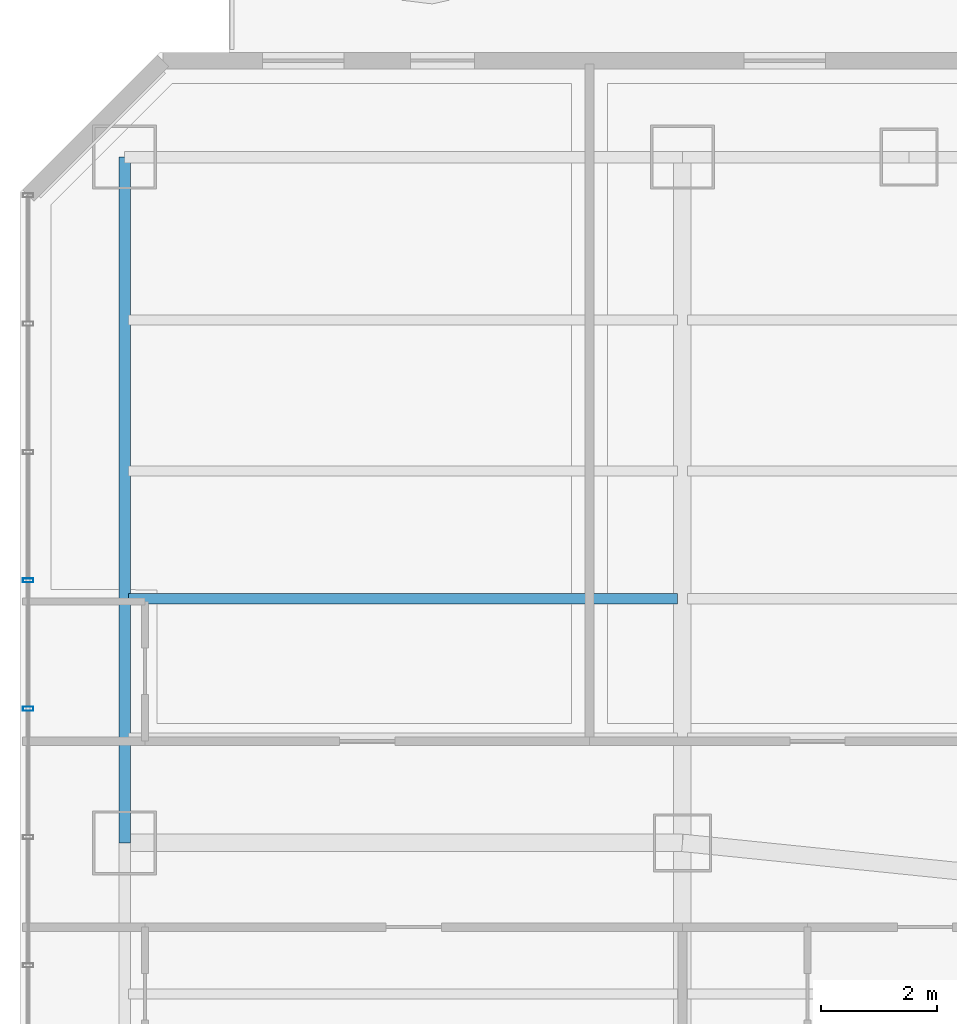
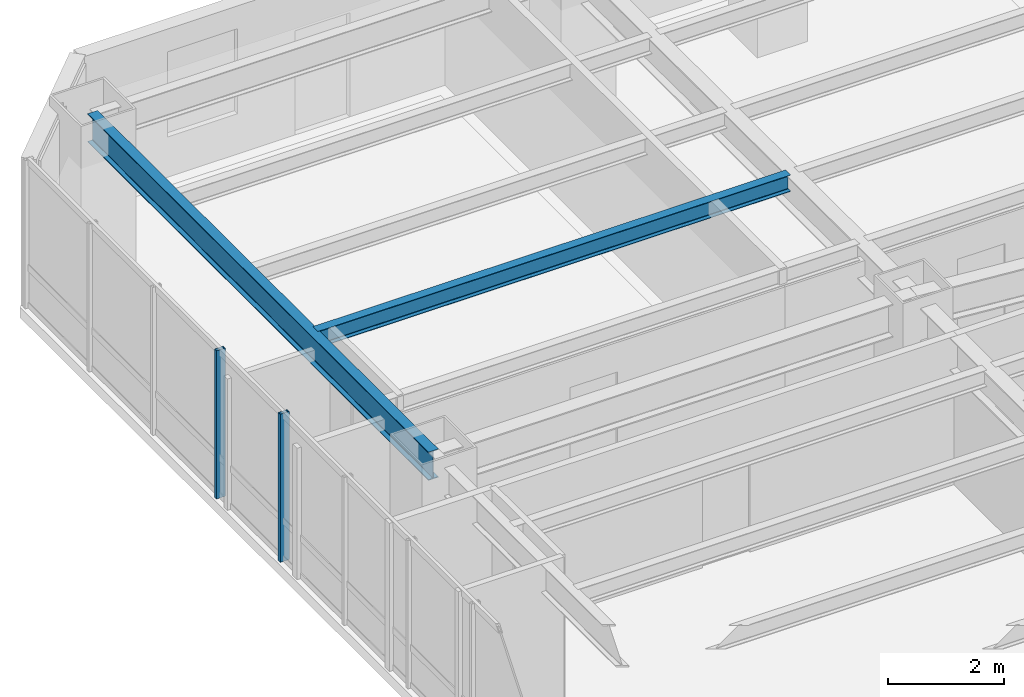
# One storey, part 14 of 33: 2 beams, 2 members, 1 element without a shape of its own.
"""IFC4 building model written with IfcOpenShell, lengths in metres."""

from ifc_helpers import new_model, si_unit, direction, frame, origin, origin_2d, place, context, subcontext, project, spatial, hollow_rectangle, i_section, extrude, material, layer, layer_set, material_profile, profile_set, type_object, element, aggregate, save


model = new_model("IFC4")

# Units and contexts
model_context = context("Model", 3, precision=1e-05, world=origin(), true_north=direction((0.0, 1.0)))
body_context = subcontext(model_context, "Body", "Model", "MODEL_VIEW")
ifc_project = project(units=[si_unit("LENGTHUNIT", "METRE"), si_unit("AREAUNIT", "SQUARE_METRE"), si_unit("VOLUMEUNIT", "CUBIC_METRE"), si_unit("PLANEANGLEUNIT", "RADIAN"), si_unit("MASSUNIT", "GRAM", prefix="KILO")], contexts=[model_context])

# Site, building, storey
site_placement = place(None, origin())
site = spatial("IfcSite", under=ifc_project, at=site_placement, CompositionType="ELEMENT")
building_placement = place(site_placement, origin())
building = spatial("IfcBuilding", under=site, at=building_placement, Name="Hatsunagi Terrace Concourse", CompositionType="ELEMENT")
storey_placement = place(building_placement, frame((0.0, 0.0, 53.35009765625)))
storey = spatial("IfcBuildingStorey", under=building, at=storey_placement, Name="L13", CompositionType="ELEMENT", Elevation=53.35009765625)

# Curtain wall, members
ifc_material_1 = material(Name="Anodised Aluminium Alloy 6063-T5", Category="aluminium")
ifc_layer = layer(ifc_material_1, 0.199951171875)
ifc_layer_set = layer_set([ifc_layer], Name="HotelFacade_CW02")
curtain_wall_type = type_object("IfcCurtainWallType", Name="HotelFacade_CW02", PredefinedType="NOTDEFINED", material=ifc_layer_set)
curtain_wall_placement = place(storey_placement, origin())
curtain_wall = element("IfcCurtainWall", 1, at=curtain_wall_placement, inside=storey, type_object=curtain_wall_type, Name="Unitised Curtain Wall CW-02 CW-L13-09", PredefinedType="NOTDEFINED")
ifc_material_2 = material(Name="Anodised Aluminium Alloy 6063-T5", Category="aluminium")
ifc_material_profile_1 = material_profile(ifc_material_2, hollow_rectangle(XDim=0.070068359375, YDim=0.179931640625, WallThickness=0.00390625, at=origin_2d()), Name="ALU-MUL-180x70x4")
ifc_profile_set_1 = profile_set([ifc_material_profile_1], Name="Anodised Aluminium Alloy 6063-T5")
member_type = type_object("IfcMemberType", Name="CurtainWallMullion_180x70", PredefinedType="MULLION", material=ifc_profile_set_1)
member_1_placement = place(storey_placement, frame((0.139892578125, 39.10791015625, 0.0), z_axis=(0.0, 0.0, 1.0), x_axis=(0.0, 1.0, 0.0)))
member_1 = element("IfcMember", 2, at=member_1_placement, type_object=member_type, Name="Curtain Wall Mullion MUL-02", PredefinedType="MULLION", context=body_context, shape_type="SweptSolid", body=[
    extrude(hollow_rectangle(XDim=0.070068359375, YDim=0.179931640625, WallThickness=0.00390625, at=origin_2d()), origin(), (0.0, 0.0, 1.0), 3.1298828125),
])
member_2_placement = place(storey_placement, frame((0.139892578125, 41.31689453125, 0.0), z_axis=(0.0, 0.0, 1.0), x_axis=(0.0, 1.0, 0.0)))
member_2 = element("IfcMember", 3, at=member_2_placement, type_object=member_type, Name="Curtain Wall Mullion MUL-02", PredefinedType="MULLION", context=body_context, shape_type="SweptSolid", body=[
    extrude(hollow_rectangle(XDim=0.070068359375, YDim=0.179931640625, WallThickness=0.00390625, at=origin_2d()), origin(), (0.0, 0.0, 1.0), 3.1298828125),
])
aggregate(curtain_wall, [member_1, member_2])

# Beams
ifc_material_3 = material(Name="Steel SN490B", Category="steel")
ifc_material_profile_2 = material_profile(ifc_material_3, i_section(OverallWidth=0.175048828125, OverallDepth=0.35009765625, WebThickness=0.007080078125, FlangeThickness=0.010986328125, FilletRadius=0.012939453125, at=origin_2d()), Name="H-350x175x7x11")
ifc_profile_set_2 = profile_set([ifc_material_profile_2], Name="Steel SN490B")
beam_type_1 = type_object("IfcBeamType", Name="HotelJoist_H_350x175", PredefinedType="JOIST", material=ifc_profile_set_2)
beam_1_placement = place(storey_placement, frame((1.864990234375, 41.0, 2.954833984375), z_axis=(1.0, 0.0, 0.0), x_axis=(0.0, 1.0, 0.0)))
element("IfcBeam", 4, at=beam_1_placement, inside=storey, type_object=beam_type_1, Name="Beam J-02 J-L13-W-1-410", PredefinedType="JOIST", context=body_context, shape_type="SweptSolid", body=[
    extrude(i_section(OverallWidth=0.175048828125, OverallDepth=0.35009765625, WebThickness=0.007080078125, FlangeThickness=0.010986328125, FilletRadius=0.012939453125, at=origin_2d()), origin(), (0.0, 0.0, 1.0), 9.449951171875),
])
ifc_material_4 = material(Name="Steel SN490B", Category="steel")
ifc_material_profile_3 = material_profile(ifc_material_4, i_section(OverallWidth=0.199951171875, OverallDepth=0.60009765625, WebThickness=0.010986328125, FlangeThickness=0.01708984375, FilletRadius=0.01806640625, at=origin_2d()), Name="H-600x200x11x17")
ifc_profile_set_3 = profile_set([ifc_material_profile_3], Name="Steel SN490B")
beam_type_2 = type_object("IfcBeamType", Name="PerimeterSpandrel_H_600x200", PredefinedType="SPANDREL", material=ifc_profile_set_3)
beam_2_placement = place(storey_placement, frame((1.800048828125, 36.800048828125, 2.829833984375), z_axis=(0.0, 1.0, 0.0), x_axis=(-1.0, 0.0, 0.0)))
element("IfcBeam", 5, at=beam_2_placement, inside=storey, type_object=beam_type_2, Name="Beam SP-01 BM-L13-NS-1-36", PredefinedType="SPANDREL", context=body_context, shape_type="SweptSolid", body=[
    extrude(i_section(OverallWidth=0.199951171875, OverallDepth=0.60009765625, WebThickness=0.010986328125, FlangeThickness=0.01708984375, FilletRadius=0.01806640625, at=origin_2d()), origin(), (0.0, 0.0, 1.0), 11.800048828125),
])

save(model, "model.ifc")
